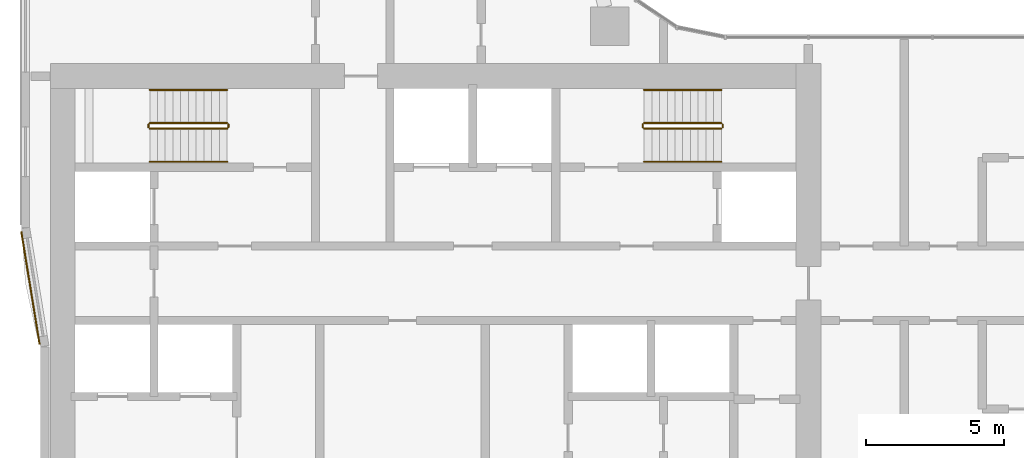
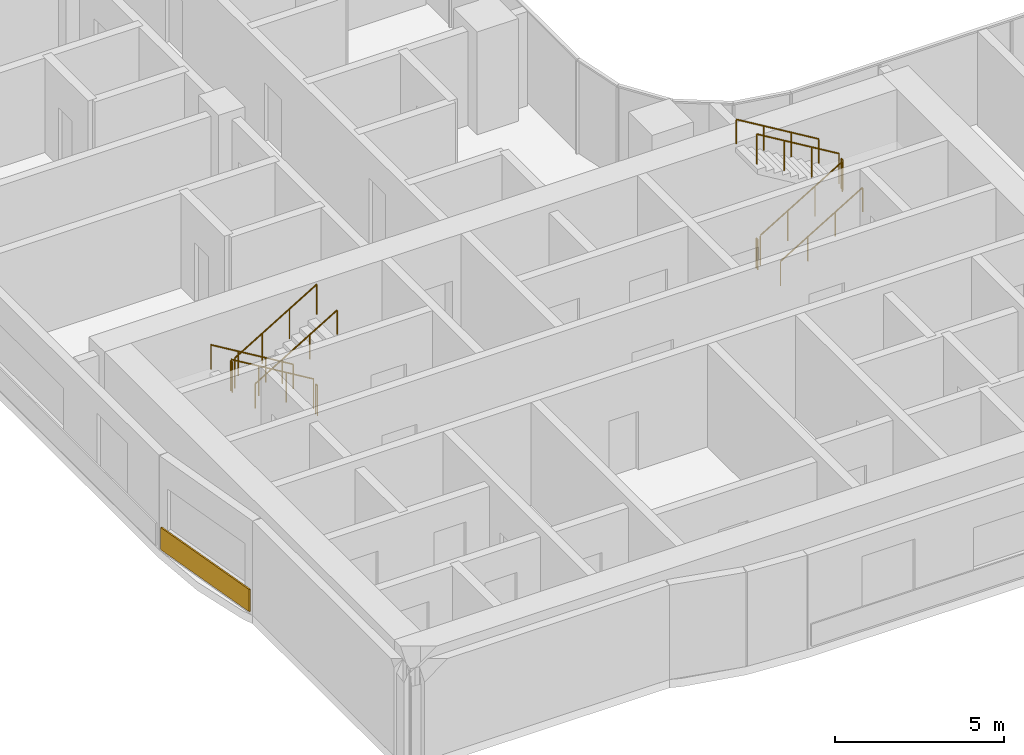
# One storey, part 28 of 33: 12 railings, 1 covering.
"""IFC4 building model written with IfcOpenShell, lengths in metres."""

from ifc_helpers import new_model, si_unit, direction, frame, origin, origin_2d, place, context, subcontext, project, spatial, rectangle, circle, extrude, material, layer, layer_set, type_object, element, save


model = new_model("IFC4")

# Units and contexts
model_context = context("Model", 3, precision=1e-05, world=origin(), true_north=direction((0.0, 1.0)))
body_context = subcontext(model_context, "Body", "Model", "MODEL_VIEW")
ifc_project = project(units=[si_unit("LENGTHUNIT", "METRE"), si_unit("AREAUNIT", "SQUARE_METRE"), si_unit("VOLUMEUNIT", "CUBIC_METRE"), si_unit("PLANEANGLEUNIT", "RADIAN"), si_unit("MASSUNIT", "GRAM", prefix="KILO")], contexts=[model_context])

# Site, building, storey
site_placement = place(None, origin())
site = spatial("IfcSite", under=ifc_project, at=site_placement, CompositionType="ELEMENT")
building_placement = place(site_placement, origin())
building = spatial("IfcBuilding", under=site, at=building_placement, Name="Ogive Portal Towers", CompositionType="ELEMENT")
storey_placement = place(building_placement, frame((0.0, 0.0, 77.89990234375)))
storey = spatial("IfcBuildingStorey", under=building, at=storey_placement, Name="L18", CompositionType="ELEMENT", Elevation=77.89990234375)

# Railings
ifc_material_1 = material(Name="Stainless steel balustrade", Category="steel")
railing_type_1 = type_object("IfcRailingType", Name="INT-GUARD", PredefinedType="GUARDRAIL", material=ifc_material_1)
railing_1_placement = place(storey_placement, frame((37.449951171875, 37.800048828125, 0.168212890625)))
element("IfcRailing", 1, at=railing_1_placement, inside=storey, type_object=railing_type_1, Name="L18 ST-A1 stair guard 1", PredefinedType="GUARDRAIL", context=body_context, shape_type="SweptSolid", body=[
    extrude(circle(Radius=0.02392578125, at=origin_2d()), frame((0.0, 0.0, 1.076171875), z_axis=(-0.857242210791, 0.0, 0.514913383045), x_axis=(0.0, -1.0, 0.0)), (0.0, 0.0, 1.0), 3.266357421875),
    extrude(circle(Radius=0.02099609375, at=origin_2d()), origin(), (0.0, 0.0, 1.0), 1.052001953125),
    extrude(circle(Radius=0.02099609375, at=origin_2d()), frame((-0.933349609375, 0.0, 0.560546875)), (0.0, 0.0, 1.0), 1.052001953125),
    extrude(circle(Radius=0.02099609375, at=origin_2d()), frame((-1.86669921875, 0.0, 1.121337890625)), (0.0, 0.0, 1.0), 1.052001953125),
    extrude(circle(Radius=0.02099609375, at=origin_2d()), frame((-2.800048828125, 0.0, 1.681884765625)), (0.0, 0.0, 1.0), 1.052001953125),
])
railing_2_placement = place(storey_placement, frame((34.60009765625, 37.75, 1.85009765625)))
element("IfcRailing", 2, at=railing_2_placement, inside=storey, type_object=railing_type_1, Name="L18 ST-A1 stair guard 2", PredefinedType="GUARDRAIL", context=body_context, shape_type="SweptSolid", body=[
    extrude(circle(Radius=0.02392578125, at=origin_2d()), frame((0.0, 0.0, 1.076171875), z_axis=(0.0, -1.0, 0.0), x_axis=(1.0, 0.0, 0.0)), (0.0, 0.0, 1.0), 0.10009765625),
    extrude(circle(Radius=0.02099609375, at=origin_2d()), origin(), (0.0, 0.0, 1.0), 1.052001953125),
    extrude(circle(Radius=0.02099609375, at=origin_2d()), frame((0.0, -0.10009765625, 0.0)), (0.0, 0.0, 1.0), 1.052001953125),
])
railing_3_placement = place(storey_placement, frame((34.64990234375, 37.60009765625, 2.018310546875)))
element("IfcRailing", 3, at=railing_3_placement, inside=storey, type_object=railing_type_1, Name="L18 ST-A1 stair guard 3", PredefinedType="GUARDRAIL", context=body_context, shape_type="SweptSolid", body=[
    extrude(circle(Radius=0.02392578125, at=origin_2d()), frame((0.0, 0.0, 1.076171875), z_axis=(0.857242210791, 0.0, 0.514913383045), x_axis=(0.0, 1.0, 0.0)), (0.0, 0.0, 1.0), 3.266357421875),
    extrude(circle(Radius=0.02099609375, at=origin_2d()), origin(), (0.0, 0.0, 1.0), 1.052001953125),
    extrude(circle(Radius=0.02099609375, at=origin_2d()), frame((0.933349609375, 0.0, 0.560546875)), (0.0, 0.0, 1.0), 1.052001953125),
    extrude(circle(Radius=0.02099609375, at=origin_2d()), frame((1.86669921875, 0.0, 1.121337890625)), (0.0, 0.0, 1.0), 1.052001953125),
    extrude(circle(Radius=0.02099609375, at=origin_2d()), frame((2.800048828125, 0.0, 1.681884765625)), (0.0, 0.0, 1.0), 1.052001953125),
])
railing_4_placement = place(storey_placement, frame((37.5, 37.75, 0.0)))
element("IfcRailing", 4, at=railing_4_placement, inside=storey, type_object=railing_type_1, Name="L18 ST-A1 stair guard 4", PredefinedType="GUARDRAIL", context=body_context, shape_type="SweptSolid", body=[
    extrude(circle(Radius=0.02392578125, at=origin_2d()), frame((0.0, 0.0, 1.076171875), z_axis=(0.0, -1.0, 0.0), x_axis=(1.0, 0.0, 0.0)), (0.0, 0.0, 1.0), 0.10009765625),
    extrude(circle(Radius=0.02099609375, at=origin_2d()), origin(), (0.0, 0.0, 1.0), 1.052001953125),
    extrude(circle(Radius=0.02099609375, at=origin_2d()), frame((0.0, -0.10009765625, 0.0)), (0.0, 0.0, 1.0), 1.052001953125),
])
railing_5_placement = place(storey_placement, frame((52.550048828125, 37.60009765625, 0.168212890625)))
element("IfcRailing", 5, at=railing_5_placement, inside=storey, type_object=railing_type_1, Name="L18 ST-A2 stair guard 1", PredefinedType="GUARDRAIL", context=body_context, shape_type="SweptSolid", body=[
    extrude(circle(Radius=0.02392578125, at=origin_2d()), frame((0.0, 0.0, 1.076171875), z_axis=(0.857242210791, 0.0, 0.514913383045), x_axis=(0.0, 1.0, 0.0)), (0.0, 0.0, 1.0), 3.266357421875),
    extrude(circle(Radius=0.02099609375, at=origin_2d()), origin(), (0.0, 0.0, 1.0), 1.052001953125),
    extrude(circle(Radius=0.02099609375, at=origin_2d()), frame((0.933349609375, 0.0, 0.560546875)), (0.0, 0.0, 1.0), 1.052001953125),
    extrude(circle(Radius=0.02099609375, at=origin_2d()), frame((1.86669921875, 0.0, 1.121337890625)), (0.0, 0.0, 1.0), 1.052001953125),
    extrude(circle(Radius=0.02099609375, at=origin_2d()), frame((2.800048828125, 0.0, 1.681884765625)), (0.0, 0.0, 1.0), 1.052001953125),
])
railing_6_placement = place(storey_placement, frame((55.39990234375, 37.64990234375, 1.85009765625)))
element("IfcRailing", 6, at=railing_6_placement, inside=storey, type_object=railing_type_1, Name="L18 ST-A2 stair guard 2", PredefinedType="GUARDRAIL", context=body_context, shape_type="SweptSolid", body=[
    extrude(circle(Radius=0.02392578125, at=origin_2d()), frame((0.0, 0.0, 1.076171875), z_axis=(0.0, 1.0, 0.0), x_axis=(-1.0, 0.0, 0.0)), (0.0, 0.0, 1.0), 0.10009765625),
    extrude(circle(Radius=0.02099609375, at=origin_2d()), origin(), (0.0, 0.0, 1.0), 1.052001953125),
    extrude(circle(Radius=0.02099609375, at=origin_2d()), frame((0.0, 0.10009765625, 0.0)), (0.0, 0.0, 1.0), 1.052001953125),
])
railing_7_placement = place(storey_placement, frame((55.35009765625, 37.800048828125, 2.018310546875)))
element("IfcRailing", 7, at=railing_7_placement, inside=storey, type_object=railing_type_1, Name="L18 ST-A2 stair guard 3", PredefinedType="GUARDRAIL", context=body_context, shape_type="SweptSolid", body=[
    extrude(circle(Radius=0.02392578125, at=origin_2d()), frame((0.0, 0.0, 1.076171875), z_axis=(-0.857242210791, 0.0, 0.514913383045), x_axis=(0.0, -1.0, 0.0)), (0.0, 0.0, 1.0), 3.266357421875),
    extrude(circle(Radius=0.02099609375, at=origin_2d()), origin(), (0.0, 0.0, 1.0), 1.052001953125),
    extrude(circle(Radius=0.02099609375, at=origin_2d()), frame((-0.933349609375, 0.0, 0.560546875)), (0.0, 0.0, 1.0), 1.052001953125),
    extrude(circle(Radius=0.02099609375, at=origin_2d()), frame((-1.86669921875, 0.0, 1.121337890625)), (0.0, 0.0, 1.0), 1.052001953125),
    extrude(circle(Radius=0.02099609375, at=origin_2d()), frame((-2.800048828125, 0.0, 1.681884765625)), (0.0, 0.0, 1.0), 1.052001953125),
])
railing_8_placement = place(storey_placement, frame((52.5, 37.64990234375, 0.0)))
element("IfcRailing", 8, at=railing_8_placement, inside=storey, type_object=railing_type_1, Name="L18 ST-A2 stair guard 4", PredefinedType="GUARDRAIL", context=body_context, shape_type="SweptSolid", body=[
    extrude(circle(Radius=0.02392578125, at=origin_2d()), frame((0.0, 0.0, 1.076171875), z_axis=(0.0, 1.0, 0.0), x_axis=(-1.0, 0.0, 0.0)), (0.0, 0.0, 1.0), 0.10009765625),
    extrude(circle(Radius=0.02099609375, at=origin_2d()), origin(), (0.0, 0.0, 1.0), 1.052001953125),
    extrude(circle(Radius=0.02099609375, at=origin_2d()), frame((0.0, 0.10009765625, 0.0)), (0.0, 0.0, 1.0), 1.052001953125),
])
ifc_material_2 = material(Name="Stainless steel handrail", Category="steel")
railing_type_2 = type_object("IfcRailingType", Name="INT-HANDRAIL", PredefinedType="HANDRAIL", material=ifc_material_2)
railing_9_placement = place(storey_placement, frame((37.449951171875, 39.0, 0.168212890625)))
element("IfcRailing", 9, at=railing_9_placement, inside=storey, type_object=railing_type_2, Name="L18 ST-A1 stair handrail 1", PredefinedType="HANDRAIL", context=body_context, shape_type="SweptSolid", body=[
    extrude(circle(Radius=0.02392578125, at=origin_2d()), frame((0.0, 0.0, 0.8759765625), z_axis=(-0.857242210791, 0.0, 0.514913383045), x_axis=(0.0, -1.0, 0.0)), (0.0, 0.0, 1.0), 3.266357421875),
    extrude(circle(Radius=0.02099609375, at=origin_2d()), origin(), (0.0, 0.0, 1.0), 0.851806640625),
    extrude(circle(Radius=0.02099609375, at=origin_2d()), frame((-0.933349609375, 0.0, 0.560546875)), (0.0, 0.0, 1.0), 0.851806640625),
    extrude(circle(Radius=0.02099609375, at=origin_2d()), frame((-1.86669921875, 0.0, 1.121337890625)), (0.0, 0.0, 1.0), 0.851806640625),
    extrude(circle(Radius=0.02099609375, at=origin_2d()), frame((-2.800048828125, 0.0, 1.681884765625)), (0.0, 0.0, 1.0), 0.851806640625),
])
for number, where, name in (
    (10, (34.64990234375, 36.39990234375, 2.018310546875), "L18 ST-A1 stair handrail 2"),
    (11, (52.550048828125, 36.39990234375, 0.168212890625), "L18 ST-A2 stair handrail 1"),
):
    element("IfcRailing", number, at=place(storey_placement, frame(where)), inside=storey, type_object=railing_type_2, Name=name, PredefinedType="HANDRAIL", context=body_context, shape_type="SweptSolid", body=[
        extrude(circle(Radius=0.02392578125, at=origin_2d()), frame((0.0, 0.0, 0.8759765625), z_axis=(0.857242210791, 0.0, 0.514913383045), x_axis=(0.0, 1.0, 0.0)), (0.0, 0.0, 1.0), 3.266357421875),
        extrude(circle(Radius=0.02099609375, at=origin_2d()), origin(), (0.0, 0.0, 1.0), 0.851806640625),
        extrude(circle(Radius=0.02099609375, at=origin_2d()), frame((0.933349609375, 0.0, 0.560546875)), (0.0, 0.0, 1.0), 0.851806640625),
        extrude(circle(Radius=0.02099609375, at=origin_2d()), frame((1.86669921875, 0.0, 1.121337890625)), (0.0, 0.0, 1.0), 0.851806640625),
        extrude(circle(Radius=0.02099609375, at=origin_2d()), frame((2.800048828125, 0.0, 1.681884765625)), (0.0, 0.0, 1.0), 0.851806640625),
    ])
railing_10_placement = place(storey_placement, frame((55.35009765625, 39.0, 2.018310546875)))
element("IfcRailing", 12, at=railing_10_placement, inside=storey, type_object=railing_type_2, Name="L18 ST-A2 stair handrail 2", PredefinedType="HANDRAIL", context=body_context, shape_type="SweptSolid", body=[
    extrude(circle(Radius=0.02392578125, at=origin_2d()), frame((0.0, 0.0, 0.8759765625), z_axis=(-0.857242210791, 0.0, 0.514913383045), x_axis=(0.0, -1.0, 0.0)), (0.0, 0.0, 1.0), 3.266357421875),
    extrude(circle(Radius=0.02099609375, at=origin_2d()), origin(), (0.0, 0.0, 1.0), 0.851806640625),
    extrude(circle(Radius=0.02099609375, at=origin_2d()), frame((-0.933349609375, 0.0, 0.560546875)), (0.0, 0.0, 1.0), 0.851806640625),
    extrude(circle(Radius=0.02099609375, at=origin_2d()), frame((-1.86669921875, 0.0, 1.121337890625)), (0.0, 0.0, 1.0), 0.851806640625),
    extrude(circle(Radius=0.02099609375, at=origin_2d()), frame((-2.800048828125, 0.0, 1.681884765625)), (0.0, 0.0, 1.0), 0.851806640625),
])

# Covering
ifc_material_3 = material(Name="Limestone cladding on lightweight block wall", Category="masonry")
ifc_layer = layer(ifc_material_3, 0.050048828125)
ifc_layer_set = layer_set([ifc_layer], Name="SCREEN PERFORATED STONE")
covering_type = type_object("IfcCoveringType", Name="SCREEN PERFORATED STONE", PredefinedType="CLADDING", material=ifc_layer_set)
covering_placement = place(storey_placement, frame((30.327392578125, 31.833740234375, 0.10009765625), z_axis=(0.0, 0.0, 1.0), x_axis=(0.160654533408, -0.987010699484, 0.0)))
element("IfcCovering", 13, at=covering_placement, inside=storey, type_object=covering_type, Name="Tracery screen", PredefinedType="CLADDING", context=body_context, shape_type="SweptSolid", body=[
    extrude(rectangle(XDim=4.1328125, YDim=0.050048828125, at=origin_2d()), origin(), (0.0, 0.0, 1.0), 0.800048828125),
])

save(model, "model.ifc")
